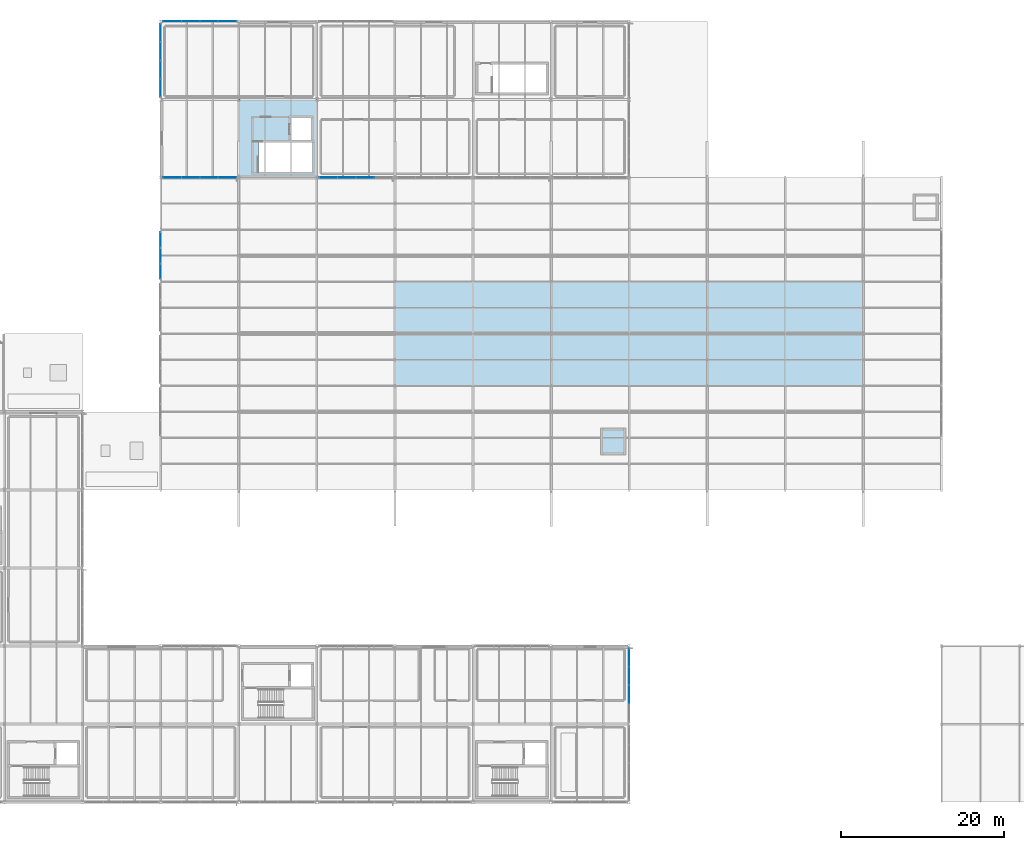
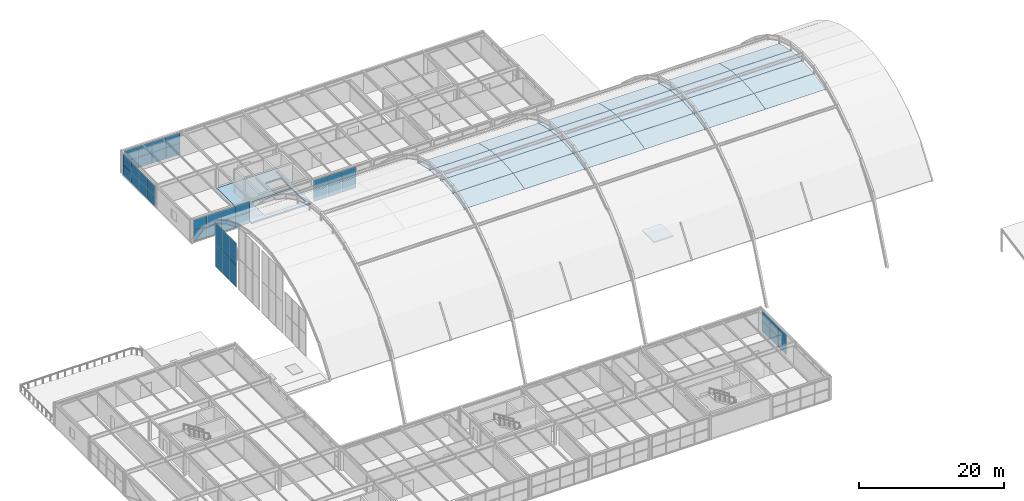
# One storey, part 107 of 126: 66 plates, 2 slabs, 6 elements without a shape of their own.
"""IFC4 building model written with IfcOpenShell, lengths in metres."""

from ifc_helpers import new_model, si_unit, direction, frame, origin, origin_2d, place, context, subcontext, project, spatial, polyline, rectangle, outline, extrude, material, layer, layer_set, type_object, element, aggregate, save


model = new_model("IFC4")

# Units and contexts
model_context = context("Model", 3, precision=1e-05, world=origin(), true_north=direction((0.0, 1.0)))
body_context = subcontext(model_context, "Body", "Model", "MODEL_VIEW")
ifc_project = project(units=[si_unit("LENGTHUNIT", "METRE"), si_unit("AREAUNIT", "SQUARE_METRE"), si_unit("VOLUMEUNIT", "CUBIC_METRE"), si_unit("PLANEANGLEUNIT", "RADIAN"), si_unit("MASSUNIT", "GRAM", prefix="KILO")], contexts=[model_context])

# Site, building, storey
site_placement = place(None, origin())
site = spatial("IfcSite", under=ifc_project, at=site_placement, CompositionType="ELEMENT")
building_placement = place(site_placement, origin())
building = spatial("IfcBuilding", under=site, at=building_placement, Name="Coralgate Yard Interchange", CompositionType="ELEMENT")
storey_placement = place(building_placement, frame((0.0, 0.0, 10.5)))
storey = spatial("IfcBuildingStorey", under=building, at=storey_placement, Name="L02", CompositionType="ELEMENT", Elevation=10.5)

# Curtain wall, plates
ifc_material_1 = material(Name="Anodised coastal aluminium and solar-control low-E glass", Category="aluminium")
curtain_wall_type_1 = type_object("IfcCurtainWallType", Name="CW-CW-L02-A", PredefinedType="NOTDEFINED", material=ifc_material_1)
curtain_wall_1_placement = place(storey_placement, origin())
curtain_wall_1 = element("IfcCurtainWall", 1, at=curtain_wall_1_placement, inside=storey, type_object=curtain_wall_type_1, Name="L02 unitised curtain wall CW-L02-S-04-08", PredefinedType="NOTDEFINED")
ifc_material_2 = material(Name="Solar-control double-glazed low-E glass unit", Category="glass")
ifc_layer_1 = layer(ifc_material_2, 0.028076171875)
ifc_layer_set_1 = layer_set([ifc_layer_1], Name="Solar-control double-glazed low-E glass unit")
plate_type_1 = type_object("IfcPlateType", Name="PLT-CP-28", PredefinedType="CURTAIN_PANEL", material=ifc_layer_set_1)
plate_1_placement = place(storey_placement, frame((46.574951171875, 76.800048828125, 0.02490234375), z_axis=(0.0, 0.0, 1.0), x_axis=(-1.0, 0.0, 0.0)))
plate_1 = element("IfcPlate", 2, at=plate_1_placement, type_object=plate_type_1, Name="CW-L02-S-04-08 solar-control glazing panel 1-1", PredefinedType="CURTAIN_PANEL", context=body_context, shape_type="SweptSolid", body=[
    extrude(rectangle(XDim=2.199951171875, YDim=0.028076171875, at=origin_2d()), origin(), (0.0, 0.0, 1.0), 1.780029296875),
])
plate_2_placement = place(storey_placement, frame((46.574951171875, 76.800048828125, 1.85498046875), z_axis=(0.0, 0.0, 1.0), x_axis=(-1.0, 0.0, 0.0)))
plate_2 = element("IfcPlate", 3, at=plate_2_placement, type_object=plate_type_1, Name="CW-L02-S-04-08 solar-control glazing panel 1-2", PredefinedType="CURTAIN_PANEL", context=body_context, shape_type="SweptSolid", body=[
    extrude(rectangle(XDim=2.199951171875, YDim=0.028076171875, at=origin_2d()), origin(), (0.0, 0.0, 1.0), 1.780029296875),
])
plate_3_placement = place(storey_placement, frame((44.324951171875, 76.800048828125, 0.02490234375), z_axis=(0.0, 0.0, 1.0), x_axis=(-1.0, 0.0, 0.0)))
plate_3 = element("IfcPlate", 4, at=plate_3_placement, type_object=plate_type_1, Name="CW-L02-S-04-08 solar-control glazing panel 2-1", PredefinedType="CURTAIN_PANEL", context=body_context, shape_type="SweptSolid", body=[
    extrude(rectangle(XDim=2.199951171875, YDim=0.028076171875, at=origin_2d()), origin(), (0.0, 0.0, 1.0), 1.780029296875),
])
plate_4_placement = place(storey_placement, frame((44.324951171875, 76.800048828125, 1.85498046875), z_axis=(0.0, 0.0, 1.0), x_axis=(-1.0, 0.0, 0.0)))
plate_4 = element("IfcPlate", 5, at=plate_4_placement, type_object=plate_type_1, Name="CW-L02-S-04-08 solar-control glazing panel 2-2", PredefinedType="CURTAIN_PANEL", context=body_context, shape_type="SweptSolid", body=[
    extrude(rectangle(XDim=2.199951171875, YDim=0.028076171875, at=origin_2d()), origin(), (0.0, 0.0, 1.0), 1.780029296875),
])
plate_5_placement = place(storey_placement, frame((42.074951171875, 76.800048828125, 0.02490234375), z_axis=(0.0, 0.0, 1.0), x_axis=(-1.0, 0.0, 0.0)))
plate_5 = element("IfcPlate", 6, at=plate_5_placement, type_object=plate_type_1, Name="CW-L02-S-04-08 solar-control glazing panel 3-1", PredefinedType="CURTAIN_PANEL", context=body_context, shape_type="SweptSolid", body=[
    extrude(rectangle(XDim=2.199951171875, YDim=0.028076171875, at=origin_2d()), origin(), (0.0, 0.0, 1.0), 1.780029296875),
])
plate_6_placement = place(storey_placement, frame((42.074951171875, 76.800048828125, 1.85498046875), z_axis=(0.0, 0.0, 1.0), x_axis=(-1.0, 0.0, 0.0)))
plate_6 = element("IfcPlate", 7, at=plate_6_placement, type_object=plate_type_1, Name="CW-L02-S-04-08 solar-control glazing panel 3-2", PredefinedType="CURTAIN_PANEL", context=body_context, shape_type="SweptSolid", body=[
    extrude(rectangle(XDim=2.199951171875, YDim=0.028076171875, at=origin_2d()), origin(), (0.0, 0.0, 1.0), 1.780029296875),
])
plate_7_placement = place(storey_placement, frame((39.824951171875, 76.800048828125, 0.02490234375), z_axis=(0.0, 0.0, 1.0), x_axis=(-1.0, 0.0, 0.0)))
plate_7 = element("IfcPlate", 8, at=plate_7_placement, type_object=plate_type_1, Name="CW-L02-S-04-08 solar-control glazing panel 4-1", PredefinedType="CURTAIN_PANEL", context=body_context, shape_type="SweptSolid", body=[
    extrude(rectangle(XDim=2.199951171875, YDim=0.028076171875, at=origin_2d()), origin(), (0.0, 0.0, 1.0), 1.780029296875),
])
plate_8_placement = place(storey_placement, frame((39.824951171875, 76.800048828125, 1.85498046875), z_axis=(0.0, 0.0, 1.0), x_axis=(-1.0, 0.0, 0.0)))
plate_8 = element("IfcPlate", 9, at=plate_8_placement, type_object=plate_type_1, Name="CW-L02-S-04-08 solar-control glazing panel 4-2", PredefinedType="CURTAIN_PANEL", context=body_context, shape_type="SweptSolid", body=[
    extrude(rectangle(XDim=2.199951171875, YDim=0.028076171875, at=origin_2d()), origin(), (0.0, 0.0, 1.0), 1.780029296875),
])
aggregate(curtain_wall_1, [plate_1, plate_2, plate_3, plate_4, plate_5, plate_6, plate_7, plate_8])

curtain_wall_2_placement = place(storey_placement, origin())
curtain_wall_2 = element("IfcCurtainWall", 10, at=curtain_wall_2_placement, inside=storey, type_object=curtain_wall_type_1, Name="L02 unitised curtain wall CW-L02-W-04-09", PredefinedType="NOTDEFINED")
plate_9_placement = place(storey_placement, frame((38.39990234375, 87.824951171875, 0.02490234375), z_axis=(0.0, 0.0, 1.0), x_axis=(0.0, 1.0, 0.0)))
plate_9 = element("IfcPlate", 11, at=plate_9_placement, type_object=plate_type_1, Name="CW-L02-W-04-09 solar-control glazing panel 1-1", PredefinedType="CURTAIN_PANEL", context=body_context, shape_type="SweptSolid", body=[
    extrude(rectangle(XDim=2.199951171875, YDim=0.028076171875, at=origin_2d()), origin(), (0.0, 0.0, 1.0), 1.696533203125),
])
plate_10_placement = place(storey_placement, frame((38.39990234375, 87.824951171875, 1.771484375), z_axis=(0.0, 0.0, 1.0), x_axis=(0.0, 1.0, 0.0)))
plate_10 = element("IfcPlate", 12, at=plate_10_placement, type_object=plate_type_1, Name="CW-L02-W-04-09 solar-control glazing panel 1-2", PredefinedType="CURTAIN_PANEL", context=body_context, shape_type="SweptSolid", body=[
    extrude(rectangle(XDim=2.199951171875, YDim=0.028076171875, at=origin_2d()), origin(), (0.0, 0.0, 1.0), 1.696533203125),
])
plate_11_placement = place(storey_placement, frame((38.39990234375, 90.074951171875, 0.02490234375), z_axis=(0.0, 0.0, 1.0), x_axis=(0.0, 1.0, 0.0)))
plate_11 = element("IfcPlate", 13, at=plate_11_placement, type_object=plate_type_1, Name="CW-L02-W-04-09 solar-control glazing panel 2-1", PredefinedType="CURTAIN_PANEL", context=body_context, shape_type="SweptSolid", body=[
    extrude(rectangle(XDim=2.199951171875, YDim=0.028076171875, at=origin_2d()), origin(), (0.0, 0.0, 1.0), 1.696533203125),
])
plate_12_placement = place(storey_placement, frame((38.39990234375, 90.074951171875, 1.771484375), z_axis=(0.0, 0.0, 1.0), x_axis=(0.0, 1.0, 0.0)))
plate_12 = element("IfcPlate", 14, at=plate_12_placement, type_object=plate_type_1, Name="CW-L02-W-04-09 solar-control glazing panel 2-2", PredefinedType="CURTAIN_PANEL", context=body_context, shape_type="SweptSolid", body=[
    extrude(rectangle(XDim=2.199951171875, YDim=0.028076171875, at=origin_2d()), origin(), (0.0, 0.0, 1.0), 1.696533203125),
])
plate_13_placement = place(storey_placement, frame((38.39990234375, 92.324951171875, 0.02490234375), z_axis=(0.0, 0.0, 1.0), x_axis=(0.0, 1.0, 0.0)))
plate_13 = element("IfcPlate", 15, at=plate_13_placement, type_object=plate_type_1, Name="CW-L02-W-04-09 solar-control glazing panel 3-1", PredefinedType="CURTAIN_PANEL", context=body_context, shape_type="SweptSolid", body=[
    extrude(rectangle(XDim=2.199951171875, YDim=0.028076171875, at=origin_2d()), origin(), (0.0, 0.0, 1.0), 1.696533203125),
])
plate_14_placement = place(storey_placement, frame((38.39990234375, 92.324951171875, 1.771484375), z_axis=(0.0, 0.0, 1.0), x_axis=(0.0, 1.0, 0.0)))
plate_14 = element("IfcPlate", 16, at=plate_14_placement, type_object=plate_type_1, Name="CW-L02-W-04-09 solar-control glazing panel 3-2", PredefinedType="CURTAIN_PANEL", context=body_context, shape_type="SweptSolid", body=[
    extrude(rectangle(XDim=2.199951171875, YDim=0.028076171875, at=origin_2d()), origin(), (0.0, 0.0, 1.0), 1.696533203125),
])
plate_15_placement = place(storey_placement, frame((38.39990234375, 94.574951171875, 0.02490234375), z_axis=(0.0, 0.0, 1.0), x_axis=(0.0, 1.0, 0.0)))
plate_15 = element("IfcPlate", 17, at=plate_15_placement, type_object=plate_type_1, Name="CW-L02-W-04-09 solar-control glazing panel 4-1", PredefinedType="CURTAIN_PANEL", context=body_context, shape_type="SweptSolid", body=[
    extrude(rectangle(XDim=2.199951171875, YDim=0.028076171875, at=origin_2d()), origin(), (0.0, 0.0, 1.0), 1.696533203125),
])
plate_16_placement = place(storey_placement, frame((38.39990234375, 94.574951171875, 1.771484375), z_axis=(0.0, 0.0, 1.0), x_axis=(0.0, 1.0, 0.0)))
plate_16 = element("IfcPlate", 18, at=plate_16_placement, type_object=plate_type_1, Name="CW-L02-W-04-09 solar-control glazing panel 4-2", PredefinedType="CURTAIN_PANEL", context=body_context, shape_type="SweptSolid", body=[
    extrude(rectangle(XDim=2.199951171875, YDim=0.028076171875, at=origin_2d()), origin(), (0.0, 0.0, 1.0), 1.696533203125),
])
aggregate(curtain_wall_2, [plate_9, plate_10, plate_11, plate_12, plate_13, plate_14, plate_15, plate_16])

curtain_wall_3_placement = place(storey_placement, origin())
curtain_wall_3 = element("IfcCurtainWall", 19, at=curtain_wall_3_placement, inside=storey, type_object=curtain_wall_type_1, Name="L02 unitised curtain wall CW-L02-N-04-09", PredefinedType="NOTDEFINED")
plate_17_placement = place(storey_placement, frame((39.824951171875, 96.0, 0.02490234375), z_axis=(0.0, 0.0, 1.0), x_axis=(1.0, 0.0, 0.0)))
plate_17 = element("IfcPlate", 20, at=plate_17_placement, type_object=plate_type_1, Name="CW-L02-N-04-09 solar-control glazing panel 1-1", PredefinedType="CURTAIN_PANEL", context=body_context, shape_type="SweptSolid", body=[
    extrude(rectangle(XDim=2.199951171875, YDim=0.028076171875, at=origin_2d()), origin(), (0.0, 0.0, 1.0), 1.780029296875),
])
plate_18_placement = place(storey_placement, frame((39.824951171875, 96.0, 1.85498046875), z_axis=(0.0, 0.0, 1.0), x_axis=(1.0, 0.0, 0.0)))
plate_18 = element("IfcPlate", 21, at=plate_18_placement, type_object=plate_type_1, Name="CW-L02-N-04-09 solar-control glazing panel 1-2", PredefinedType="CURTAIN_PANEL", context=body_context, shape_type="SweptSolid", body=[
    extrude(rectangle(XDim=2.199951171875, YDim=0.028076171875, at=origin_2d()), origin(), (0.0, 0.0, 1.0), 1.780029296875),
])
plate_19_placement = place(storey_placement, frame((42.074951171875, 96.0, 0.02490234375), z_axis=(0.0, 0.0, 1.0), x_axis=(1.0, 0.0, 0.0)))
plate_19 = element("IfcPlate", 22, at=plate_19_placement, type_object=plate_type_1, Name="CW-L02-N-04-09 solar-control glazing panel 2-1", PredefinedType="CURTAIN_PANEL", context=body_context, shape_type="SweptSolid", body=[
    extrude(rectangle(XDim=2.199951171875, YDim=0.028076171875, at=origin_2d()), origin(), (0.0, 0.0, 1.0), 1.780029296875),
])
plate_20_placement = place(storey_placement, frame((42.074951171875, 96.0, 1.85498046875), z_axis=(0.0, 0.0, 1.0), x_axis=(1.0, 0.0, 0.0)))
plate_20 = element("IfcPlate", 23, at=plate_20_placement, type_object=plate_type_1, Name="CW-L02-N-04-09 solar-control glazing panel 2-2", PredefinedType="CURTAIN_PANEL", context=body_context, shape_type="SweptSolid", body=[
    extrude(rectangle(XDim=2.199951171875, YDim=0.028076171875, at=origin_2d()), origin(), (0.0, 0.0, 1.0), 1.780029296875),
])
plate_21_placement = place(storey_placement, frame((44.324951171875, 96.0, 0.02490234375), z_axis=(0.0, 0.0, 1.0), x_axis=(1.0, 0.0, 0.0)))
plate_21 = element("IfcPlate", 24, at=plate_21_placement, type_object=plate_type_1, Name="CW-L02-N-04-09 solar-control glazing panel 3-1", PredefinedType="CURTAIN_PANEL", context=body_context, shape_type="SweptSolid", body=[
    extrude(rectangle(XDim=2.199951171875, YDim=0.028076171875, at=origin_2d()), origin(), (0.0, 0.0, 1.0), 1.780029296875),
])
plate_22_placement = place(storey_placement, frame((44.324951171875, 96.0, 1.85498046875), z_axis=(0.0, 0.0, 1.0), x_axis=(1.0, 0.0, 0.0)))
plate_22 = element("IfcPlate", 25, at=plate_22_placement, type_object=plate_type_1, Name="CW-L02-N-04-09 solar-control glazing panel 3-2", PredefinedType="CURTAIN_PANEL", context=body_context, shape_type="SweptSolid", body=[
    extrude(rectangle(XDim=2.199951171875, YDim=0.028076171875, at=origin_2d()), origin(), (0.0, 0.0, 1.0), 1.780029296875),
])
plate_23_placement = place(storey_placement, frame((46.574951171875, 96.0, 0.02490234375), z_axis=(0.0, 0.0, 1.0), x_axis=(1.0, 0.0, 0.0)))
plate_23 = element("IfcPlate", 26, at=plate_23_placement, type_object=plate_type_1, Name="CW-L02-N-04-09 solar-control glazing panel 4-1", PredefinedType="CURTAIN_PANEL", context=body_context, shape_type="SweptSolid", body=[
    extrude(rectangle(XDim=2.199951171875, YDim=0.028076171875, at=origin_2d()), origin(), (0.0, 0.0, 1.0), 1.780029296875),
])
plate_24_placement = place(storey_placement, frame((46.574951171875, 96.0, 1.85498046875), z_axis=(0.0, 0.0, 1.0), x_axis=(1.0, 0.0, 0.0)))
plate_24 = element("IfcPlate", 27, at=plate_24_placement, type_object=plate_type_1, Name="CW-L02-N-04-09 solar-control glazing panel 4-2", PredefinedType="CURTAIN_PANEL", context=body_context, shape_type="SweptSolid", body=[
    extrude(rectangle(XDim=2.199951171875, YDim=0.028076171875, at=origin_2d()), origin(), (0.0, 0.0, 1.0), 1.780029296875),
])
aggregate(curtain_wall_3, [plate_17, plate_18, plate_19, plate_20, plate_21, plate_22, plate_23, plate_24])

curtain_wall_4_placement = place(storey_placement, origin())
curtain_wall_4 = element("IfcCurtainWall", 28, at=curtain_wall_4_placement, inside=storey, type_object=curtain_wall_type_1, Name="L02 unitised curtain wall CW-L02-S-06-08", PredefinedType="NOTDEFINED")
plate_25_placement = place(storey_placement, frame((63.52490234375, 76.800048828125, 0.02490234375), z_axis=(0.0, 0.0, 1.0), x_axis=(-1.0, 0.0, 0.0)))
plate_25 = element("IfcPlate", 29, at=plate_25_placement, type_object=plate_type_1, Name="CW-L02-S-06-08 solar-control glazing panel 2-1", PredefinedType="CURTAIN_PANEL", context=body_context, shape_type="SweptSolid", body=[
    extrude(rectangle(XDim=2.199951171875, YDim=0.028076171875, at=origin_2d()), origin(), (0.0, 0.0, 1.0), 1.780029296875),
])
plate_26_placement = place(storey_placement, frame((63.52490234375, 76.800048828125, 1.85498046875), z_axis=(0.0, 0.0, 1.0), x_axis=(-1.0, 0.0, 0.0)))
plate_26 = element("IfcPlate", 30, at=plate_26_placement, type_object=plate_type_1, Name="CW-L02-S-06-08 solar-control glazing panel 2-2", PredefinedType="CURTAIN_PANEL", context=body_context, shape_type="SweptSolid", body=[
    extrude(rectangle(XDim=2.199951171875, YDim=0.028076171875, at=origin_2d()), origin(), (0.0, 0.0, 1.0), 1.780029296875),
])
plate_27_placement = place(storey_placement, frame((61.27490234375, 76.800048828125, 0.02490234375), z_axis=(0.0, 0.0, 1.0), x_axis=(-1.0, 0.0, 0.0)))
plate_27 = element("IfcPlate", 31, at=plate_27_placement, type_object=plate_type_1, Name="CW-L02-S-06-08 solar-control glazing panel 3-1", PredefinedType="CURTAIN_PANEL", context=body_context, shape_type="SweptSolid", body=[
    extrude(rectangle(XDim=2.199951171875, YDim=0.028076171875, at=origin_2d()), origin(), (0.0, 0.0, 1.0), 1.780029296875),
])
plate_28_placement = place(storey_placement, frame((61.27490234375, 76.800048828125, 1.85498046875), z_axis=(0.0, 0.0, 1.0), x_axis=(-1.0, 0.0, 0.0)))
plate_28 = element("IfcPlate", 32, at=plate_28_placement, type_object=plate_type_1, Name="CW-L02-S-06-08 solar-control glazing panel 3-2", PredefinedType="CURTAIN_PANEL", context=body_context, shape_type="SweptSolid", body=[
    extrude(rectangle(XDim=2.199951171875, YDim=0.028076171875, at=origin_2d()), origin(), (0.0, 0.0, 1.0), 1.780029296875),
])
plate_29_placement = place(storey_placement, frame((59.02490234375, 76.800048828125, 0.02490234375), z_axis=(0.0, 0.0, 1.0), x_axis=(-1.0, 0.0, 0.0)))
plate_29 = element("IfcPlate", 33, at=plate_29_placement, type_object=plate_type_1, Name="CW-L02-S-06-08 solar-control glazing panel 4-1", PredefinedType="CURTAIN_PANEL", context=body_context, shape_type="SweptSolid", body=[
    extrude(rectangle(XDim=2.199951171875, YDim=0.028076171875, at=origin_2d()), origin(), (0.0, 0.0, 1.0), 1.780029296875),
])
plate_30_placement = place(storey_placement, frame((59.02490234375, 76.800048828125, 1.85498046875), z_axis=(0.0, 0.0, 1.0), x_axis=(-1.0, 0.0, 0.0)))
plate_30 = element("IfcPlate", 34, at=plate_30_placement, type_object=plate_type_1, Name="CW-L02-S-06-08 solar-control glazing panel 4-2", PredefinedType="CURTAIN_PANEL", context=body_context, shape_type="SweptSolid", body=[
    extrude(rectangle(XDim=2.199951171875, YDim=0.028076171875, at=origin_2d()), origin(), (0.0, 0.0, 1.0), 1.780029296875),
])
aggregate(curtain_wall_4, [plate_25, plate_26, plate_27, plate_28, plate_29, plate_30])

curtain_wall_5_placement = place(storey_placement, origin())
curtain_wall_5 = element("IfcCurtainWall", 35, at=curtain_wall_5_placement, inside=storey, type_object=curtain_wall_type_1, Name="L02 unitised curtain wall CW-L02-E-09-01", PredefinedType="NOTDEFINED")
plate_31_placement = place(storey_placement, frame((96.0, 17.77490234375, 0.02490234375), z_axis=(0.0, 0.0, 1.0), x_axis=(0.0, -1.0, 0.0)))
plate_31 = element("IfcPlate", 36, at=plate_31_placement, type_object=plate_type_1, Name="CW-L02-E-09-01 solar-control glazing panel 1-1", PredefinedType="CURTAIN_PANEL", context=body_context, shape_type="SweptSolid", body=[
    extrude(rectangle(XDim=2.199951171875, YDim=0.028076171875, at=origin_2d()), origin(), (0.0, 0.0, 1.0), 1.696533203125),
])
plate_32_placement = place(storey_placement, frame((96.0, 17.77490234375, 1.771484375), z_axis=(0.0, 0.0, 1.0), x_axis=(0.0, -1.0, 0.0)))
plate_32 = element("IfcPlate", 37, at=plate_32_placement, type_object=plate_type_1, Name="CW-L02-E-09-01 solar-control glazing panel 1-2", PredefinedType="CURTAIN_PANEL", context=body_context, shape_type="SweptSolid", body=[
    extrude(rectangle(XDim=2.199951171875, YDim=0.028076171875, at=origin_2d()), origin(), (0.0, 0.0, 1.0), 1.696533203125),
])
plate_33_placement = place(storey_placement, frame((96.0, 15.52490234375, 0.02490234375), z_axis=(0.0, 0.0, 1.0), x_axis=(0.0, -1.0, 0.0)))
plate_33 = element("IfcPlate", 38, at=plate_33_placement, type_object=plate_type_1, Name="CW-L02-E-09-01 solar-control glazing panel 2-1", PredefinedType="CURTAIN_PANEL", context=body_context, shape_type="SweptSolid", body=[
    extrude(rectangle(XDim=2.199951171875, YDim=0.028076171875, at=origin_2d()), origin(), (0.0, 0.0, 1.0), 1.696533203125),
])
plate_34_placement = place(storey_placement, frame((96.0, 15.52490234375, 1.771484375), z_axis=(0.0, 0.0, 1.0), x_axis=(0.0, -1.0, 0.0)))
plate_34 = element("IfcPlate", 39, at=plate_34_placement, type_object=plate_type_1, Name="CW-L02-E-09-01 solar-control glazing panel 2-2", PredefinedType="CURTAIN_PANEL", context=body_context, shape_type="SweptSolid", body=[
    extrude(rectangle(XDim=2.199951171875, YDim=0.028076171875, at=origin_2d()), origin(), (0.0, 0.0, 1.0), 1.696533203125),
])
plate_35_placement = place(storey_placement, frame((96.0, 13.27490234375, 0.02490234375), z_axis=(0.0, 0.0, 1.0), x_axis=(0.0, -1.0, 0.0)))
plate_35 = element("IfcPlate", 40, at=plate_35_placement, type_object=plate_type_1, Name="CW-L02-E-09-01 solar-control glazing panel 3-1", PredefinedType="CURTAIN_PANEL", context=body_context, shape_type="SweptSolid", body=[
    extrude(rectangle(XDim=2.199951171875, YDim=0.028076171875, at=origin_2d()), origin(), (0.0, 0.0, 1.0), 1.696533203125),
])
plate_36_placement = place(storey_placement, frame((96.0, 13.27490234375, 1.771484375), z_axis=(0.0, 0.0, 1.0), x_axis=(0.0, -1.0, 0.0)))
plate_36 = element("IfcPlate", 41, at=plate_36_placement, type_object=plate_type_1, Name="CW-L02-E-09-01 solar-control glazing panel 3-2", PredefinedType="CURTAIN_PANEL", context=body_context, shape_type="SweptSolid", body=[
    extrude(rectangle(XDim=2.199951171875, YDim=0.028076171875, at=origin_2d()), origin(), (0.0, 0.0, 1.0), 1.696533203125),
])
aggregate(curtain_wall_5, [plate_31, plate_32, plate_33, plate_34, plate_35, plate_36])

curtain_wall_type_2 = type_object("IfcCurtainWallType", Name="CW-CW-VLT-2", PredefinedType="NOTDEFINED", material=ifc_material_1)
curtain_wall_6_placement = place(storey_placement, origin())
curtain_wall_6 = element("IfcCurtainWall", 42, at=curtain_wall_6_placement, inside=storey, type_object=curtain_wall_type_2, Name="L02 unitised curtain wall CW-VAULT-W-5", PredefinedType="NOTDEFINED")
ifc_layer_2 = layer(ifc_material_2, 0.0419921875)
ifc_layer_set_2 = layer_set([ifc_layer_2], Name="Solar-control double-glazed low-E glass unit")
plate_type_2 = type_object("IfcPlateType", Name="PLT-CP-42", PredefinedType="CURTAIN_PANEL", material=ifc_layer_set_2)
plate_37_placement = place(storey_placement, frame((38.39990234375, 65.2734375, 0.02490234375), z_axis=(0.0, 0.0, 1.0), x_axis=(0.0, 1.0, 0.0)))
plate_37 = element("IfcPlate", 43, at=plate_37_placement, type_object=plate_type_2, Name="CW-VAULT-W-5 solar-control glazing panel 1-1", PredefinedType="CURTAIN_PANEL", context=body_context, shape_type="SweptSolid", body=[
    extrude(rectangle(XDim=1.876708984375, YDim=0.0419921875, at=origin_2d()), origin(), (0.0, 0.0, 1.0), 3.666015625),
])
plate_38_placement = place(storey_placement, frame((38.39990234375, 65.2734375, 3.740966796875), z_axis=(0.0, 0.0, 1.0), x_axis=(0.0, 1.0, 0.0)))
plate_38 = element("IfcPlate", 44, at=plate_38_placement, type_object=plate_type_2, Name="CW-VAULT-W-5 solar-control glazing panel 1-2", PredefinedType="CURTAIN_PANEL", context=body_context, shape_type="SweptSolid", body=[
    extrude(rectangle(XDim=1.876708984375, YDim=0.0419921875, at=origin_2d()), origin(), (0.0, 0.0, 1.0), 3.666015625),
])
plate_39_placement = place(storey_placement, frame((38.39990234375, 67.199951171875, 0.02490234375), z_axis=(0.0, 0.0, 1.0), x_axis=(0.0, 1.0, 0.0)))
plate_39 = element("IfcPlate", 45, at=plate_39_placement, type_object=plate_type_2, Name="CW-VAULT-W-5 solar-control glazing panel 2-1", PredefinedType="CURTAIN_PANEL", context=body_context, shape_type="SweptSolid", body=[
    extrude(rectangle(XDim=1.876708984375, YDim=0.0419921875, at=origin_2d()), origin(), (0.0, 0.0, 1.0), 3.666015625),
])
plate_40_placement = place(storey_placement, frame((38.39990234375, 67.199951171875, 3.740966796875), z_axis=(0.0, 0.0, 1.0), x_axis=(0.0, 1.0, 0.0)))
plate_40 = element("IfcPlate", 46, at=plate_40_placement, type_object=plate_type_2, Name="CW-VAULT-W-5 solar-control glazing panel 2-2", PredefinedType="CURTAIN_PANEL", context=body_context, shape_type="SweptSolid", body=[
    extrude(rectangle(XDim=1.876708984375, YDim=0.0419921875, at=origin_2d()), origin(), (0.0, 0.0, 1.0), 3.666015625),
])
plate_41_placement = place(storey_placement, frame((38.39990234375, 69.126708984375, 0.02490234375), z_axis=(0.0, 0.0, 1.0), x_axis=(0.0, 1.0, 0.0)))
plate_41 = element("IfcPlate", 47, at=plate_41_placement, type_object=plate_type_2, Name="CW-VAULT-W-5 solar-control glazing panel 3-1", PredefinedType="CURTAIN_PANEL", context=body_context, shape_type="SweptSolid", body=[
    extrude(rectangle(XDim=1.876708984375, YDim=0.0419921875, at=origin_2d()), origin(), (0.0, 0.0, 1.0), 3.666015625),
])
plate_42_placement = place(storey_placement, frame((38.39990234375, 69.126708984375, 3.740966796875), z_axis=(0.0, 0.0, 1.0), x_axis=(0.0, 1.0, 0.0)))
plate_42 = element("IfcPlate", 48, at=plate_42_placement, type_object=plate_type_2, Name="CW-VAULT-W-5 solar-control glazing panel 3-2", PredefinedType="CURTAIN_PANEL", context=body_context, shape_type="SweptSolid", body=[
    extrude(rectangle(XDim=1.876708984375, YDim=0.0419921875, at=origin_2d()), origin(), (0.0, 0.0, 1.0), 3.666015625),
])
aggregate(curtain_wall_6, [plate_37, plate_38, plate_39, plate_40, plate_41, plate_42])

# Plates
ifc_material_3 = material(Name="Insulated solar-control laminated glass", Category="glass")
ifc_layer_3 = layer(ifc_material_3, 0.048095703125)
ifc_layer_set_3 = layer_set([ifc_layer_3], Name="Insulated solar-control laminated glass")
plate_type_3 = type_object("IfcPlateType", Name="PLT-VP-48", PredefinedType="SHEET", material=ifc_layer_set_3)
plate_43_placement = place(storey_placement, frame((72.0, 52.805419921875, 11.414306640625), z_axis=(0.0, -0.223916275908, 0.9746083836), x_axis=(1.0, 0.0, 0.0)))
element("IfcPlate", 49, at=plate_43_placement, inside=storey, type_object=plate_type_3, Name="Vault crown skylight panel 4-5", PredefinedType="SHEET", context=body_context, shape_type="SweptSolid", body=[
    extrude(rectangle(XDim=9.60009765625, YDim=3.283447265625, at=origin_2d()), origin(), (0.0, 0.0, 1.0), 0.048095703125),
])
for number, where, z_axis, x_axis, name in (
    (50, (72.0, 56.001708984375, 11.901123046875), (0.0, -0.074635004965, 0.997210918529), (1.0, 0.0, 0.0), "Vault crown skylight panel 4-6"),
    (51, (72.0, 59.1982421875, 11.901123046875), (0.0, 0.074635004965, 0.997210918529), (1.0, 0.0, 0.0), "Vault crown skylight panel 4-7"),
):
    element("IfcPlate", number, at=place(storey_placement, frame(where, z_axis=z_axis, x_axis=x_axis)), inside=storey, type_object=plate_type_3, Name=name, PredefinedType="SHEET", context=body_context, shape_type="SweptSolid", body=[
        extrude(rectangle(XDim=9.60009765625, YDim=3.208984375, at=origin_2d()), origin(), (0.0, 0.0, 1.0), 0.048095703125),
    ])
for number, where, z_axis, x_axis, name in (
    (52, (72.0, 62.39453125, 11.414306640625), (0.0, 0.223916275908, 0.9746083836), (1.0, 0.0, 0.0), "Vault crown skylight panel 4-8"),
    (53, (81.60009765625, 52.805419921875, 11.414306640625), (0.0, -0.223916275908, 0.9746083836), (1.0, 0.0, 0.0), "Vault crown skylight panel 5-5"),
):
    element("IfcPlate", number, at=place(storey_placement, frame(where, z_axis=z_axis, x_axis=x_axis)), inside=storey, type_object=plate_type_3, Name=name, PredefinedType="SHEET", context=body_context, shape_type="SweptSolid", body=[
        extrude(rectangle(XDim=9.60009765625, YDim=3.283447265625, at=origin_2d()), origin(), (0.0, 0.0, 1.0), 0.048095703125),
    ])
for number, where, z_axis, x_axis, name in (
    (54, (81.60009765625, 56.001708984375, 11.901123046875), (0.0, -0.074635004965, 0.997210918529), (1.0, 0.0, 0.0), "Vault crown skylight panel 5-6"),
    (55, (81.60009765625, 59.1982421875, 11.901123046875), (0.0, 0.074635004965, 0.997210918529), (1.0, 0.0, 0.0), "Vault crown skylight panel 5-7"),
):
    element("IfcPlate", number, at=place(storey_placement, frame(where, z_axis=z_axis, x_axis=x_axis)), inside=storey, type_object=plate_type_3, Name=name, PredefinedType="SHEET", context=body_context, shape_type="SweptSolid", body=[
        extrude(rectangle(XDim=9.60009765625, YDim=3.208984375, at=origin_2d()), origin(), (0.0, 0.0, 1.0), 0.048095703125),
    ])
for number, where, z_axis, x_axis, name in (
    (56, (81.60009765625, 62.39453125, 11.414306640625), (0.0, 0.223916275908, 0.9746083836), (1.0, 0.0, 0.0), "Vault crown skylight panel 5-8"),
    (57, (91.199951171875, 52.805419921875, 11.414306640625), (0.0, -0.223916275908, 0.9746083836), (1.0, 0.0, 0.0), "Vault crown skylight panel 6-5"),
):
    element("IfcPlate", number, at=place(storey_placement, frame(where, z_axis=z_axis, x_axis=x_axis)), inside=storey, type_object=plate_type_3, Name=name, PredefinedType="SHEET", context=body_context, shape_type="SweptSolid", body=[
        extrude(rectangle(XDim=9.60009765625, YDim=3.283447265625, at=origin_2d()), origin(), (0.0, 0.0, 1.0), 0.048095703125),
    ])
for number, where, z_axis, x_axis, name in (
    (58, (91.199951171875, 56.001708984375, 11.901123046875), (0.0, -0.074635004965, 0.997210918529), (1.0, 0.0, 0.0), "Vault crown skylight panel 6-6"),
    (59, (91.199951171875, 59.1982421875, 11.901123046875), (0.0, 0.074635004965, 0.997210918529), (1.0, 0.0, 0.0), "Vault crown skylight panel 6-7"),
):
    element("IfcPlate", number, at=place(storey_placement, frame(where, z_axis=z_axis, x_axis=x_axis)), inside=storey, type_object=plate_type_3, Name=name, PredefinedType="SHEET", context=body_context, shape_type="SweptSolid", body=[
        extrude(rectangle(XDim=9.60009765625, YDim=3.208984375, at=origin_2d()), origin(), (0.0, 0.0, 1.0), 0.048095703125),
    ])
for number, where, z_axis, x_axis, name in (
    (60, (91.199951171875, 62.39453125, 11.414306640625), (0.0, 0.223916275908, 0.9746083836), (1.0, 0.0, 0.0), "Vault crown skylight panel 6-8"),
    (61, (100.800048828125, 52.805419921875, 11.414306640625), (0.0, -0.223916275908, 0.9746083836), (1.0, 0.0, 0.0), "Vault crown skylight panel 7-5"),
):
    element("IfcPlate", number, at=place(storey_placement, frame(where, z_axis=z_axis, x_axis=x_axis)), inside=storey, type_object=plate_type_3, Name=name, PredefinedType="SHEET", context=body_context, shape_type="SweptSolid", body=[
        extrude(rectangle(XDim=9.60009765625, YDim=3.283447265625, at=origin_2d()), origin(), (0.0, 0.0, 1.0), 0.048095703125),
    ])
for number, where, z_axis, x_axis, name in (
    (62, (100.800048828125, 56.001708984375, 11.901123046875), (0.0, -0.074635004965, 0.997210918529), (1.0, 0.0, 0.0), "Vault crown skylight panel 7-6"),
    (63, (100.800048828125, 59.1982421875, 11.901123046875), (0.0, 0.074635004965, 0.997210918529), (1.0, 0.0, 0.0), "Vault crown skylight panel 7-7"),
):
    element("IfcPlate", number, at=place(storey_placement, frame(where, z_axis=z_axis, x_axis=x_axis)), inside=storey, type_object=plate_type_3, Name=name, PredefinedType="SHEET", context=body_context, shape_type="SweptSolid", body=[
        extrude(rectangle(XDim=9.60009765625, YDim=3.208984375, at=origin_2d()), origin(), (0.0, 0.0, 1.0), 0.048095703125),
    ])
for number, where, z_axis, x_axis, name in (
    (64, (100.800048828125, 62.39453125, 11.414306640625), (0.0, 0.223916275908, 0.9746083836), (1.0, 0.0, 0.0), "Vault crown skylight panel 7-8"),
    (65, (110.39990234375, 52.805419921875, 11.414306640625), (0.0, -0.223916275908, 0.9746083836), (1.0, 0.0, 0.0), "Vault crown skylight panel 8-5"),
):
    element("IfcPlate", number, at=place(storey_placement, frame(where, z_axis=z_axis, x_axis=x_axis)), inside=storey, type_object=plate_type_3, Name=name, PredefinedType="SHEET", context=body_context, shape_type="SweptSolid", body=[
        extrude(rectangle(XDim=9.60009765625, YDim=3.283447265625, at=origin_2d()), origin(), (0.0, 0.0, 1.0), 0.048095703125),
    ])
for number, where, z_axis, x_axis, name in (
    (66, (110.39990234375, 56.001708984375, 11.901123046875), (0.0, -0.074635004965, 0.997210918529), (1.0, 0.0, 0.0), "Vault crown skylight panel 8-6"),
    (67, (110.39990234375, 59.1982421875, 11.901123046875), (0.0, 0.074635004965, 0.997210918529), (1.0, 0.0, 0.0), "Vault crown skylight panel 8-7"),
):
    element("IfcPlate", number, at=place(storey_placement, frame(where, z_axis=z_axis, x_axis=x_axis)), inside=storey, type_object=plate_type_3, Name=name, PredefinedType="SHEET", context=body_context, shape_type="SweptSolid", body=[
        extrude(rectangle(XDim=9.60009765625, YDim=3.208984375, at=origin_2d()), origin(), (0.0, 0.0, 1.0), 0.048095703125),
    ])
for number, where, z_axis, x_axis, name in (
    (68, (110.39990234375, 62.39453125, 11.414306640625), (0.0, 0.223916275908, 0.9746083836), (1.0, 0.0, 0.0), "Vault crown skylight panel 8-8"),
    (69, (120.0, 52.805419921875, 11.414306640625), (0.0, -0.223916275908, 0.9746083836), (1.0, 0.0, 0.0), "Vault crown skylight panel 9-5"),
):
    element("IfcPlate", number, at=place(storey_placement, frame(where, z_axis=z_axis, x_axis=x_axis)), inside=storey, type_object=plate_type_3, Name=name, PredefinedType="SHEET", context=body_context, shape_type="SweptSolid", body=[
        extrude(rectangle(XDim=9.60009765625, YDim=3.283447265625, at=origin_2d()), origin(), (0.0, 0.0, 1.0), 0.048095703125),
    ])
for number, where, z_axis, x_axis, name in (
    (70, (120.0, 56.001708984375, 11.901123046875), (0.0, -0.074635004965, 0.997210918529), (1.0, 0.0, 0.0), "Vault crown skylight panel 9-6"),
    (71, (120.0, 59.1982421875, 11.901123046875), (0.0, 0.074635004965, 0.997210918529), (1.0, 0.0, 0.0), "Vault crown skylight panel 9-7"),
):
    element("IfcPlate", number, at=place(storey_placement, frame(where, z_axis=z_axis, x_axis=x_axis)), inside=storey, type_object=plate_type_3, Name=name, PredefinedType="SHEET", context=body_context, shape_type="SweptSolid", body=[
        extrude(rectangle(XDim=9.60009765625, YDim=3.208984375, at=origin_2d()), origin(), (0.0, 0.0, 1.0), 0.048095703125),
    ])
plate_44_placement = place(storey_placement, frame((120.0, 62.39453125, 11.414306640625), z_axis=(0.0, 0.223916275908, 0.9746083836), x_axis=(1.0, 0.0, 0.0)))
element("IfcPlate", 72, at=plate_44_placement, inside=storey, type_object=plate_type_3, Name="Vault crown skylight panel 9-8", PredefinedType="SHEET", context=body_context, shape_type="SweptSolid", body=[
    extrude(rectangle(XDim=9.60009765625, YDim=3.283447265625, at=origin_2d()), origin(), (0.0, 0.0, 1.0), 0.048095703125),
])

# Slabs
ifc_material_4 = material(Name="Concrete C40/50", Category="concrete")
ifc_layer_4 = layer(ifc_material_4, 0.239990234375)
ifc_layer_set_4 = layer_set([ifc_layer_4], Name="Concrete C40/50")
slab_type_1 = type_object("IfcSlabType", Name="SLB-CAP240", PredefinedType="ROOF", material=ifc_layer_set_4)
slab_1_placement = place(storey_placement, frame((0.0, 0.0, 1.60009765625)))
element("IfcSlab", 73, at=slab_1_placement, inside=storey, type_object=slab_type_1, Name="LF-04 lift overrun roof slab", PredefinedType="ROOF", context=body_context, shape_type="SweptSolid", body=[
    extrude(outline(polyline([(92.5, 42.699951171875), (95.60009765625, 42.699951171875), (95.60009765625, 46.0), (92.5, 46.0), (92.5, 42.699951171875)])), origin(), (0.0, 0.0, 1.0), 0.239990234375),
])
ifc_layer_5 = layer(ifc_material_4, 0.25)
ifc_layer_set_5 = layer_set([ifc_layer_5], Name="Concrete C40/50")
slab_type_2 = type_object("IfcSlabType", Name="SLB-SL-FLR250", PredefinedType="FLOOR", material=ifc_layer_set_5)
slab_2_placement = place(storey_placement, frame((0.0, 0.0, -0.25)))
element("IfcSlab", 74, at=slab_2_placement, inside=storey, type_object=slab_type_2, Name="L02 core C5 structural floor slab", PredefinedType="FLOOR", context=body_context, shape_type="SweptSolid", body=[
    extrude(outline(polyline([(57.60009765625, 86.39990234375), (57.60009765625, 76.800048828125), (48.0, 76.800048828125), (48.0, 86.39990234375), (57.60009765625, 86.39990234375)]), holes=[polyline([(57.0, 81.110107421875), (50.419921875, 81.110107421875), (50.419921875, 77.449951171875), (57.0, 77.449951171875), (57.0, 81.110107421875)]), polyline([(56.89990234375, 81.25), (56.89990234375, 84.10009765625), (54.39990234375, 84.10009765625), (54.39990234375, 81.25), (56.89990234375, 81.25)])]), origin(), (0.0, 0.0, 1.0), 0.25),
])

save(model, "model.ifc")
